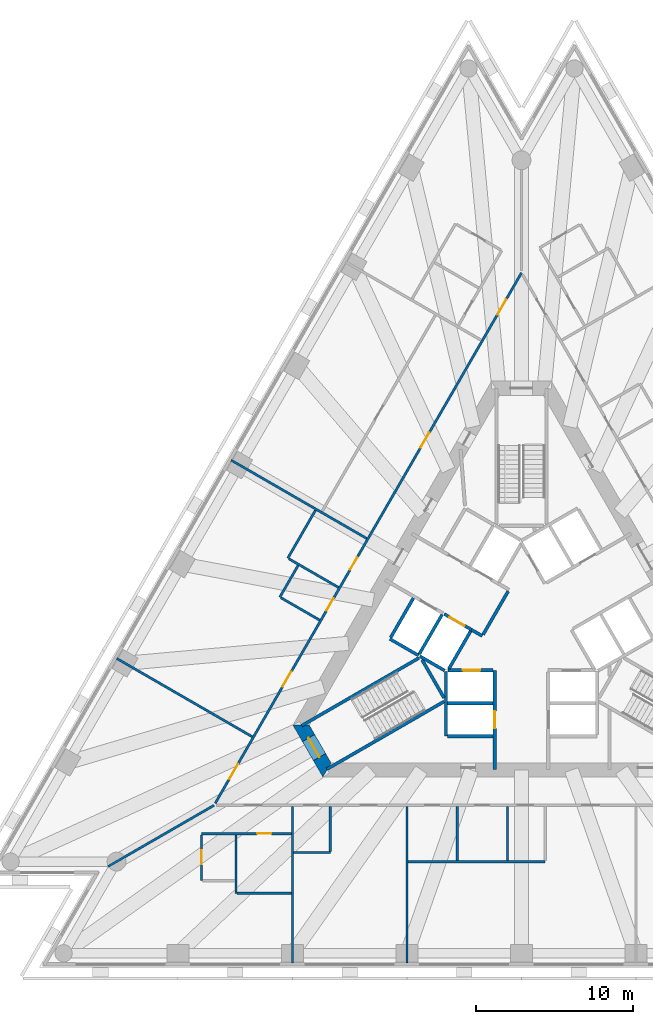
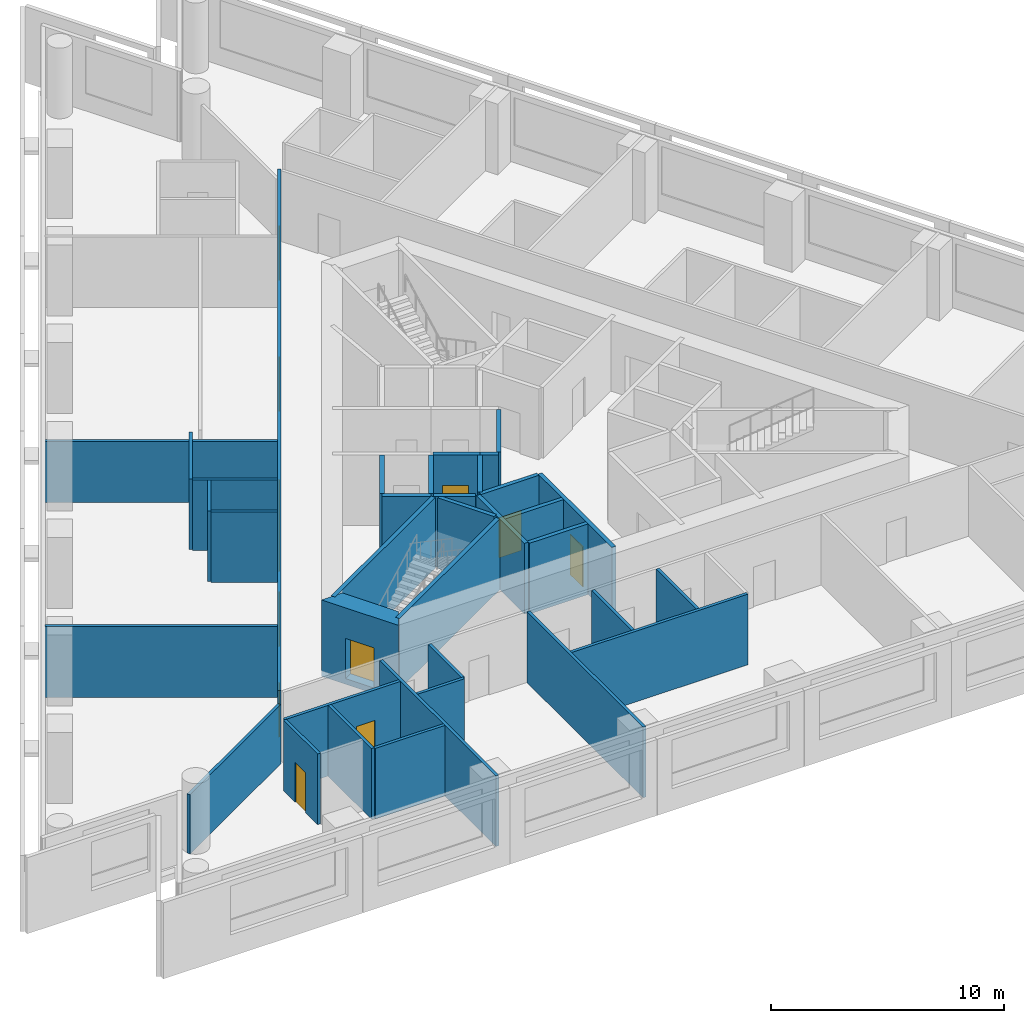
# One storey, part 3 of 11: 36 walls, 12 doors, 12 openings.
"""IFC4 building model written with IfcOpenShell, lengths in metres."""

from ifc_helpers import new_model, si_unit, direction, frame, frame_2d, origin, place, context, subcontext, project, spatial, polyline, rectangle, outline, extrude, material, layer, layer_set, type_object, element, fill, save


model = new_model("IFC4")

# Units and contexts
model_context = context("Model", 3, precision=1e-05, world=origin(), true_north=direction((0.0, 1.0)))
body_context = subcontext(model_context, "Body", "Model", "MODEL_VIEW")
ifc_project = project(units=[si_unit("LENGTHUNIT", "METRE"), si_unit("AREAUNIT", "SQUARE_METRE"), si_unit("VOLUMEUNIT", "CUBIC_METRE"), si_unit("PLANEANGLEUNIT", "RADIAN"), si_unit("MASSUNIT", "GRAM", prefix="KILO")], contexts=[model_context])

# Site, building, storey
site_placement = place(None, origin())
site = spatial("IfcSite", under=ifc_project, at=site_placement, CompositionType="ELEMENT")
building_placement = place(site_placement, origin())
building = spatial("IfcBuilding", under=site, at=building_placement, Name="Triada Interchange Tower", CompositionType="ELEMENT")
storey_placement = place(building_placement, frame((0.0, 0.0, 79.300048828125)))
storey = spatial("IfcBuildingStorey", under=building, at=storey_placement, Name="L17", CompositionType="ELEMENT", Elevation=79.300048828125)

# Walls
ifc_material_1 = material(Name="Concrete C30/37", Category="concrete")
ifc_layer_1 = layer(ifc_material_1, 0.199951171875)
ifc_layer_set_1 = layer_set([ifc_layer_1], Name="CORE WALL 200 EI 120")
wall_type_1 = type_object("IfcWallType", Name="CORE WALL 200 EI 120", PredefinedType="SOLIDWALL", material=ifc_layer_set_1)
wall_1_placement = place(storey_placement, frame((-8.3759765625, -0.70703125, 0.0), z_axis=(0.0, 0.0, 1.0), x_axis=(0.866067520717, -0.499927044236, 0.0)))
element("IfcWall", 1, at=wall_1_placement, inside=storey, type_object=wall_type_1, Name="Wall L15 52", PredefinedType="SOLIDWALL", context=body_context, shape_type="SweptSolid", body=[
    extrude(rectangle(XDim=2.100341796875, YDim=0.199951171875, at=frame_2d((1.05029296875, 0.0))), origin(), (0.0, 0.0, 1.0), 3.699951171875),
])
wall_2_placement = place(storey_placement, frame((-8.325927734375, -0.6201171875, 0.0), z_axis=(0.0, 0.0, 1.0), x_axis=(0.500023687443, 0.866011727401, 0.0)))
element("IfcWall", 2, at=wall_2_placement, inside=storey, type_object=wall_type_1, Name="Wall L15 53", PredefinedType="SOLIDWALL", context=body_context, shape_type="SweptSolid", body=[
    extrude(rectangle(XDim=2.899658203125, YDim=0.199951171875, at=frame_2d((1.44970703125, 0.0))), origin(), (0.0, 0.0, 1.0), 3.699951171875),
])
wall_3_placement = place(storey_placement, frame((-4.699951171875, -4.800048828125, 0.0), z_axis=(0.0, 0.0, 1.0), x_axis=(1.0, 0.0, 0.0)))
element("IfcWall", 3, at=wall_3_placement, inside=storey, type_object=wall_type_1, Name="Wall L15 54", PredefinedType="SOLIDWALL", context=body_context, shape_type="SweptSolid", body=[
    extrude(rectangle(XDim=2.89990234375, YDim=0.199951171875, at=frame_2d((1.449951171875, 0.0))), origin(), (0.0, 0.0, 1.0), 3.699951171875),
])
wall_4_placement = place(storey_placement, frame((-4.800048828125, -6.89990234375, 0.0), z_axis=(0.0, 0.0, 1.0), x_axis=(0.0, 1.0, 0.0)))
element("IfcWall", 4, at=wall_4_placement, inside=storey, type_object=wall_type_1, Name="Wall L15 56", PredefinedType="SOLIDWALL", context=body_context, shape_type="SweptSolid", body=[
    extrude(rectangle(XDim=4.130859375, YDim=0.199951171875, at=frame_2d((2.0654296875, 0.0))), origin(), (0.0, 0.0, 1.0), 3.699951171875),
])
wall_5_placement = place(storey_placement, frame((-4.699951171875, -6.89990234375, 0.0), z_axis=(0.0, 0.0, 1.0), x_axis=(1.0, 0.0, 0.0)))
element("IfcWall", 5, at=wall_5_placement, inside=storey, type_object=wall_type_1, Name="Wall L15 57", PredefinedType="SOLIDWALL", context=body_context, shape_type="SweptSolid", body=[
    extrude(rectangle(XDim=2.89990234375, YDim=0.199951171875, at=frame_2d((1.449951171875, 0.0))), origin(), (0.0, 0.0, 1.0), 3.699951171875),
])

# Wall, opening, door
wall_6_placement = place(storey_placement, frame((-1.699951171875, -9.030029296875, 0.0), z_axis=(0.0, 0.0, 1.0), x_axis=(0.0, 1.0, 0.0)))
wall_6 = element("IfcWall", 6, at=wall_6_placement, inside=storey, type_object=wall_type_1, Name="Wall L15 59", PredefinedType="SOLIDWALL", context=body_context, shape_type="SweptSolid", body=[
    extrude(rectangle(XDim=6.3271484375, YDim=0.199951171875, at=frame_2d((3.16357421875, 0.0))), origin(), (0.0, 0.0, 1.0), 3.699951171875),
])
opening_1_placement = place(wall_6_placement, frame((2.6298828125, 0.0, 0.0)))
opening_1 = element("IfcOpeningElement", 7, at=opening_1_placement, cuts=wall_6, Name="Opening LD-LR4", PredefinedType="OPENING", context=body_context, shape_type="SweptSolid", body=[
    extrude(rectangle(XDim=1.10009765625, YDim=2.10009765625, at=frame_2d((0.550048828125, 1.050048828125))), frame((0.0, 0.10986328125, 0.0), z_axis=(0.0, -1.0, 0.0), x_axis=(1.0, 0.0, 0.0)), (0.0, 0.0, 1.0), 0.219970703125),
])
ifc_material_2 = material(Name="Steel S235 door leaf", Category="steel")
door_type_1 = type_object("IfcDoorType", Name="LIFT LANDING DOOR 1100 EI 120", OperationType="SLIDING_TO_LEFT", PredefinedType="DOOR", material=ifc_material_2)
door_1_placement = place(opening_1_placement, origin())
door_1 = element("IfcDoor", 8, at=door_1_placement, inside=storey, type_object=door_type_1, Name="LR4 landing door L17", OperationType="SLIDING_TO_LEFT", OverallHeight=2.10009765625, OverallWidth=1.10009765625, PredefinedType="DOOR", context=body_context, shape_type="SweptSolid", body=[
    extrude(rectangle(XDim=1.10009765625, YDim=2.10009765625, at=frame_2d((0.550048828125, 1.050048828125))), frame((0.0, 0.02490234375, 0.0), z_axis=(0.0, -1.0, 0.0), x_axis=(1.0, 0.0, 0.0)), (0.0, 0.0, 1.0), 0.050048828125),
])
fill(opening_1, door_1)

wall_7_placement = place(storey_placement, frame((-4.676025390625, -2.699951171875, 0.0), z_axis=(0.0, 0.0, 1.0), x_axis=(1.0, 0.0, 0.0)))
wall_7 = element("IfcWall", 9, at=wall_7_placement, inside=storey, type_object=wall_type_1, Name="Wall L15 60", PredefinedType="SOLIDWALL", context=body_context, shape_type="SweptSolid", body=[
    extrude(rectangle(XDim=2.873046875, YDim=0.199951171875, at=frame_2d((1.4365234375, 0.0))), origin(), (0.0, 0.0, 1.0), 3.699951171875),
])
opening_2_placement = place(wall_7_placement, frame((0.93701171875, 0.0, 0.0)))
opening_2 = element("IfcOpeningElement", 10, at=opening_2_placement, cuts=wall_7, Name="Opening LD-LR3", PredefinedType="OPENING", context=body_context, shape_type="SweptSolid", body=[
    extrude(rectangle(XDim=1.10009765625, YDim=2.10009765625, at=frame_2d((0.550048828125, 1.050048828125))), frame((0.0, 0.10986328125, 0.0), z_axis=(0.0, -1.0, 0.0), x_axis=(1.0, 0.0, 0.0)), (0.0, 0.0, 1.0), 0.219970703125),
])
door_2_placement = place(opening_2_placement, origin())
door_2 = element("IfcDoor", 11, at=door_2_placement, inside=storey, type_object=door_type_1, Name="LR3 landing door L17", OperationType="SLIDING_TO_LEFT", OverallHeight=2.10009765625, OverallWidth=1.10009765625, PredefinedType="DOOR", context=body_context, shape_type="SweptSolid", body=[
    extrude(rectangle(XDim=1.10009765625, YDim=2.10009765625, at=frame_2d((0.550048828125, 1.050048828125))), frame((0.0, 0.02490234375, 0.0), z_axis=(0.0, -1.0, 0.0), x_axis=(1.0, 0.0, 0.0)), (0.0, 0.0, 1.0), 0.050048828125),
])
fill(opening_2, door_2)

# Walls
ifc_layer_2 = layer(ifc_material_1, 0.199951171875)
ifc_layer_set_2 = layer_set([ifc_layer_2], Name="CORE WALL 200 EI 180")
wall_type_2 = type_object("IfcWallType", Name="CORE WALL 200 EI 180", PredefinedType="SOLIDWALL", material=ifc_layer_set_2)
wall_8_placement = place(storey_placement, frame((-3.18798828125, -0.1220703125, 0.0), z_axis=(0.0, 0.0, 1.0), x_axis=(0.865705793592, -0.50055317294, 0.0)))
element("IfcWall", 12, at=wall_8_placement, inside=storey, type_object=wall_type_2, Name="Wall L15 75", PredefinedType="SOLIDWALL", context=body_context, shape_type="SweptSolid", body=[
    extrude(rectangle(XDim=0.796875, YDim=0.199951171875, at=frame_2d((0.3984375, 0.0))), origin(), (0.0, 0.0, 1.0), 3.699951171875),
])
wall_9_placement = place(storey_placement, frame((-2.444091796875, -0.43310546875, 0.0), z_axis=(0.0, 0.0, 1.0), x_axis=(0.500035624827, 0.866004834804, 0.0)))
element("IfcWall", 13, at=wall_9_placement, inside=storey, type_object=wall_type_2, Name="Wall L15 80", PredefinedType="SOLIDWALL", context=body_context, shape_type="SweptSolid", body=[
    extrude(rectangle(XDim=3.194091796875, YDim=0.199951171875, at=frame_2d((1.59716796875, 0.0))), origin(), (0.0, 0.0, 1.0), 3.699951171875),
])
wall_10_placement = place(storey_placement, frame((-6.507080078125, -1.669921875, 0.0), z_axis=(0.0, 0.0, 1.0), x_axis=(0.50012328804, 0.865954211699, 0.0)))
element("IfcWall", 14, at=wall_10_placement, inside=storey, type_object=wall_type_2, Name="Shaft wall FF1 L15 81", PredefinedType="SOLIDWALL", context=body_context, shape_type="SweptSolid", body=[
    extrude(rectangle(XDim=2.899658203125, YDim=0.199951171875, at=frame_2d((1.44970703125, 0.0))), origin(), (0.0, 0.0, 1.0), 3.699951171875),
])
wall_11_placement = place(storey_placement, frame((-6.469970703125, -1.806884765625, 0.0), z_axis=(0.0, 0.0, 1.0), x_axis=(0.865883195159, -0.500246231712, 0.0)))
element("IfcWall", 15, at=wall_11_placement, inside=storey, type_object=wall_type_2, Name="Shaft wall FF1 L15 82", PredefinedType="SOLIDWALL", context=body_context, shape_type="SweptSolid", body=[
    extrude(rectangle(XDim=1.8154296875, YDim=0.199951171875, at=frame_2d((0.90771484375, 0.0))), origin(), (0.0, 0.0, 1.0), 3.699951171875),
])

# Wall, opening, door
wall_12_placement = place(storey_placement, frame((-4.922119140625, 0.87890625, 0.0), z_axis=(0.0, 0.0, 1.0), x_axis=(0.866073918653, -0.499915960366, 0.0)))
wall_12 = element("IfcWall", 16, at=wall_12_placement, inside=storey, type_object=wall_type_2, Name="Shaft wall FF1 L15 83", PredefinedType="SOLIDWALL", context=body_context, shape_type="SweptSolid", body=[
    extrude(rectangle(XDim=2.002197265625, YDim=0.199951171875, at=frame_2d((1.0009765625, 0.0))), origin(), (0.0, 0.0, 1.0), 3.699951171875),
])
opening_3_placement = place(wall_12_placement, frame((0.402099609375, 0.0, 0.0)))
opening_3 = element("IfcOpeningElement", 17, at=opening_3_placement, cuts=wall_12, Name="Opening LD-FF1", PredefinedType="OPENING", context=body_context, shape_type="SweptSolid", body=[
    extrude(rectangle(XDim=1.10009765625, YDim=2.10009765625, at=frame_2d((0.550048828125, 1.050048828125))), frame((0.0, 0.10986328125, 0.0), z_axis=(0.0, -1.0, 0.0), x_axis=(1.0, 0.0, 0.0)), (0.0, 0.0, 1.0), 0.219970703125),
])
door_3_placement = place(opening_3_placement, origin())
door_3 = element("IfcDoor", 18, at=door_3_placement, inside=storey, type_object=door_type_1, Name="FF1 landing door L17", OperationType="SLIDING_TO_LEFT", OverallHeight=2.10009765625, OverallWidth=1.10009765625, PredefinedType="DOOR", context=body_context, shape_type="SweptSolid", body=[
    extrude(rectangle(XDim=1.10009765625, YDim=2.10009765625, at=frame_2d((0.550048828125, 1.050048828125))), frame((0.0, 0.02490234375, 0.0), z_axis=(0.0, -1.0, 0.0), x_axis=(1.0, 0.0, 0.0)), (0.0, 0.0, 1.0), 0.050048828125),
])
fill(opening_3, door_3)

# Walls
wall_13_placement = place(storey_placement, frame((-4.618896484375, -2.60009765625, 0.0), z_axis=(0.0, 0.0, 1.0), x_axis=(0.50009492287, 0.865970593103, 0.0)))
element("IfcWall", 19, at=wall_13_placement, inside=storey, type_object=wall_type_2, Name="Shaft wall FF1 L15 84", PredefinedType="SOLIDWALL", context=body_context, shape_type="SweptSolid", body=[
    extrude(rectangle(XDim=2.76123046875, YDim=0.199951171875, at=frame_2d((1.380615234375, 0.0))), origin(), (0.0, 0.0, 1.0), 3.699951171875),
])
ifc_layer_3 = layer(ifc_material_1, 0.199951171875)
ifc_layer_set_3 = layer_set([ifc_layer_3], Name="CORE WALL 200 REI 240")
wall_type_3 = type_object("IfcWallType", Name="CORE WALL 200 REI 240", PredefinedType="SOLIDWALL", material=ifc_layer_set_3)
wall_14_placement = place(storey_placement, frame((-13.989990234375, -6.22900390625, 0.0), z_axis=(0.0, 0.0, 1.0), x_axis=(0.866060059011, 0.499939970583, 0.0)))
element("IfcWall", 20, at=wall_14_placement, inside=storey, type_object=wall_type_3, Name="Wall L15 93", PredefinedType="SOLIDWALL", context=body_context, shape_type="SweptSolid", body=[
    extrude(rectangle(XDim=8.61474609375, YDim=0.199951171875, at=frame_2d((4.307373046875, 0.0))), origin(), (0.0, 0.0, 1.0), 3.699951171875),
])
wall_15_placement = place(storey_placement, frame((-6.3291015625, -2.0380859375, 0.0), z_axis=(0.0, 0.0, 1.0), x_axis=(0.500200581029, -0.865909567298, 0.0)))
element("IfcWall", 21, at=wall_15_placement, inside=storey, type_object=wall_type_3, Name="Wall L15 94", PredefinedType="SOLIDWALL", context=body_context, shape_type="SweptSolid", body=[
    extrude(rectangle(XDim=2.799072265625, YDim=0.199951171875, at=frame_2d((1.3994140625, 0.0))), origin(), (0.0, 0.0, 1.0), 3.699951171875),
])
wall_16_placement = place(storey_placement, frame((-12.389892578125, -9.0009765625, 0.0), z_axis=(0.0, 0.0, 1.0), x_axis=(0.866010975815, 0.500024989144, 0.0)))
element("IfcWall", 22, at=wall_16_placement, inside=storey, type_object=wall_type_3, Name="Wall L15 95", PredefinedType="SOLIDWALL", context=body_context, shape_type="SweptSolid", body=[
    extrude(rectangle(XDim=8.615234375, YDim=0.199951171875, at=frame_2d((4.3076171875, 0.0))), origin(), (0.0, 0.0, 1.0), 3.699951171875),
])

# Wall, opening, door
ifc_material_3 = material(Name="Concrete C70/85", Category="concrete")
ifc_layer_4 = layer(ifc_material_3, 0.89990234375)
ifc_layer_set_4 = layer_set([ifc_layer_4], Name="Core wall A 900")
wall_type_4 = type_object("IfcWallType", Name="Core wall A 900", PredefinedType="SHEAR", material=ifc_layer_set_4)
wall_17_placement = place(storey_placement, frame((-14.030029296875, -6.199951171875, -0.300048828125), z_axis=(0.0, 0.0, 1.0), x_axis=(0.500111984565, -0.865960739811, 0.0)))
wall_17 = element("IfcWall", 23, at=wall_17_placement, inside=storey, type_object=wall_type_4, Name="Core wall WA03 L17", PredefinedType="SHEAR", context=body_context, shape_type="SweptSolid", body=[
    extrude(outline(polyline([(-0.260009765625, -0.448974609375), (1.6455078125, -0.449462890625), (3.551025390625, -0.449951171875), (3.031982421875, 0.449951171875), (1.64599609375, 0.449951171875), (0.260009765625, 0.449951171875), (-0.260009765625, -0.448974609375)])), origin(), (0.0, 0.0, 1.0), 4.0),
])
opening_4_placement = place(wall_17_placement, frame((0.946044921875, 0.0, 0.300048828125)))
opening_4 = element("IfcOpeningElement", 24, at=opening_4_placement, cuts=wall_17, Name="Opening D15-45", PredefinedType="OPENING", context=body_context, shape_type="SweptSolid", body=[
    extrude(rectangle(XDim=1.39990234375, YDim=2.10009765625, at=frame_2d((0.699951171875, 1.050048828125))), frame((0.0, 0.4599609375, 0.0), z_axis=(0.0, -1.0, 0.0), x_axis=(1.0, 0.0, 0.0)), (0.0, 0.0, 1.0), 0.919921875),
])
door_type_2 = type_object("IfcDoorType", Name="STAIR DOOR 1400 EI2 90-C5S200", OperationType="DOUBLE_DOOR_SINGLE_SWING", PredefinedType="DOOR", material=ifc_material_2)
door_4_placement = place(opening_4_placement, origin())
door_4 = element("IfcDoor", 25, at=door_4_placement, inside=storey, type_object=door_type_2, Name="Door D15-45 L17", OperationType="DOUBLE_DOOR_SINGLE_SWING", OverallHeight=2.10009765625, OverallWidth=1.39990234375, PredefinedType="DOOR", context=body_context, shape_type="SweptSolid", body=[
    extrude(rectangle(XDim=1.39990234375, YDim=2.10009765625, at=frame_2d((0.699951171875, 1.050048828125))), frame((0.0, 0.02490234375, 0.0), z_axis=(0.0, -1.0, 0.0), x_axis=(1.0, 0.0, 0.0)), (0.0, 0.0, 1.0), 0.050048828125),
])
fill(opening_4, door_4)

# Walls
ifc_material_4 = material(Name="Gypsum board partition")
ifc_layer_5 = layer(ifc_material_4, 0.14990234375)
ifc_layer_set_5 = layer_set([ifc_layer_5], Name="PARTITION 150 EI 180")
wall_type_5 = type_object("IfcWallType", Name="PARTITION 150 EI 180", PredefinedType="PARTITIONING", material=ifc_layer_set_5)
wall_18_placement = place(storey_placement, frame((-26.31689453125, -15.194091796875, 0.0), z_axis=(0.0, 0.0, 1.0), x_axis=(0.866031591824, 0.499989281847, 0.0)))
element("IfcWall", 26, at=wall_18_placement, inside=storey, type_object=wall_type_5, Name="Wall L15 1", PredefinedType="PARTITIONING", context=body_context, shape_type="SweptSolid", body=[
    extrude(rectangle(XDim=7.788330078125, YDim=0.14990234375, at=frame_2d((3.89404296875, 0.0))), origin(), (0.0, 0.0, 1.0), 3.099853515625),
])
wall_19_placement = place(storey_placement, frame((-25.77099609375, -1.950927734375, 0.0), z_axis=(0.0, 0.0, 1.0), x_axis=(0.866008152443, -0.500029879009, 0.0)))
element("IfcWall", 27, at=wall_19_placement, inside=storey, type_object=wall_type_5, Name="Wall L15 2", PredefinedType="PARTITIONING", context=body_context, shape_type="SweptSolid", body=[
    extrude(rectangle(XDim=9.9677734375, YDim=0.14990234375, at=frame_2d((4.98388671875, 0.0))), origin(), (0.0, 0.0, 1.0), 3.699951171875),
])

# Wall, openings, doors
wall_20_placement = place(storey_placement, frame((-19.4970703125, -11.169921875, 0.0), z_axis=(0.0, 0.0, 1.0), x_axis=(0.499998854553, 0.866026065108, 0.0)))
wall_20 = element("IfcWall", 28, at=wall_20_placement, inside=storey, type_object=wall_type_5, Name="Wall L15 3", PredefinedType="PARTITIONING", context=body_context, shape_type="SweptSolid", body=[
    extrude(rectangle(XDim=38.994140625, YDim=0.14990234375, at=frame_2d((19.4970703125, 0.0))), origin(), (0.0, 0.0, 1.0), 3.699951171875),
])
opening_5_placement = place(wall_20_placement, frame((35.944091796875, 0.0, 0.0)))
opening_5 = element("IfcOpeningElement", 29, at=opening_5_placement, cuts=wall_20, Name="Opening D15-34", PredefinedType="OPENING", context=body_context, shape_type="SweptSolid", body=[
    extrude(rectangle(XDim=1.10009765625, YDim=2.10009765625, at=frame_2d((0.550048828125, 1.050048828125))), frame((0.0, 0.0849609375, 0.0), z_axis=(0.0, -1.0, 0.0), x_axis=(1.0, 0.0, 0.0)), (0.0, 0.0, 1.0), 0.169921875),
])
opening_6_placement = place(wall_20_placement, frame((26.14794921875, 0.0, 0.0)))
opening_6 = element("IfcOpeningElement", 30, at=opening_6_placement, cuts=wall_20, Name="Opening D15-37", PredefinedType="OPENING", context=body_context, shape_type="SweptSolid", body=[
    extrude(rectangle(XDim=1.10009765625, YDim=2.10009765625, at=frame_2d((0.550048828125, 1.050048828125))), frame((0.0, 0.0849609375, 0.0), z_axis=(0.0, -1.0, 0.0), x_axis=(1.0, 0.0, 0.0)), (0.0, 0.0, 1.0), 0.169921875),
])
opening_7_placement = place(wall_20_placement, frame((8.572021484375, 0.0, 0.0)))
opening_7 = element("IfcOpeningElement", 31, at=opening_7_placement, cuts=wall_20, Name="Opening D15-39", PredefinedType="OPENING", context=body_context, shape_type="SweptSolid", body=[
    extrude(rectangle(XDim=1.10009765625, YDim=2.10009765625, at=frame_2d((0.550048828125, 1.050048828125))), frame((0.0, 0.0849609375, 0.0), z_axis=(0.0, -1.0, 0.0), x_axis=(1.0, 0.0, 0.0)), (0.0, 0.0, 1.0), 0.169921875),
])
opening_8_placement = place(wall_20_placement, frame((17.172119140625, 0.0, 0.0)))
opening_8 = element("IfcOpeningElement", 32, at=opening_8_placement, cuts=wall_20, Name="Opening D15-40", PredefinedType="OPENING", context=body_context, shape_type="SweptSolid", body=[
    extrude(rectangle(XDim=0.89990234375, YDim=2.10009765625, at=frame_2d((0.449951171875, 1.050048828125))), frame((0.0, 0.0849609375, 0.0), z_axis=(0.0, -1.0, 0.0), x_axis=(1.0, 0.0, 0.0)), (0.0, 0.0, 1.0), 0.169921875),
])
opening_9_placement = place(wall_20_placement, frame((14.172119140625, 0.0, 0.0)))
opening_9 = element("IfcOpeningElement", 33, at=opening_9_placement, cuts=wall_20, Name="Opening D15-41", PredefinedType="OPENING", context=body_context, shape_type="SweptSolid", body=[
    extrude(rectangle(XDim=0.89990234375, YDim=2.10009765625, at=frame_2d((0.449951171875, 1.050048828125))), frame((0.0, 0.0849609375, 0.0), z_axis=(0.0, -1.0, 0.0), x_axis=(1.0, 0.0, 0.0)), (0.0, 0.0, 1.0), 0.169921875),
])
opening_10_placement = place(wall_20_placement, frame((1.797119140625, 0.0, 0.0)))
opening_10 = element("IfcOpeningElement", 34, at=opening_10_placement, cuts=wall_20, Name="Opening D15-42", PredefinedType="OPENING", context=body_context, shape_type="SweptSolid", body=[
    extrude(rectangle(XDim=1.10009765625, YDim=2.10009765625, at=frame_2d((0.550048828125, 1.050048828125))), frame((0.0, 0.0849609375, 0.0), z_axis=(0.0, -1.0, 0.0), x_axis=(1.0, 0.0, 0.0)), (0.0, 0.0, 1.0), 0.169921875),
])
door_type_3 = type_object("IfcDoorType", Name="ROOM DOOR 900 EI2 90-C5S200", OperationType="NOTDEFINED", PredefinedType="DOOR", material=ifc_material_2)
door_5_placement = place(opening_8_placement, origin())
door_5 = element("IfcDoor", 35, at=door_5_placement, inside=storey, type_object=door_type_3, Name="Door D15-40 L17", OperationType="SINGLE_SWING_LEFT", OverallHeight=2.10009765625, OverallWidth=0.89990234375, PredefinedType="DOOR", context=body_context, shape_type="SweptSolid", body=[
    extrude(rectangle(XDim=0.89990234375, YDim=2.10009765625, at=frame_2d((0.449951171875, 1.050048828125))), frame((0.0, 0.02490234375, 0.0), z_axis=(0.0, -1.0, 0.0), x_axis=(1.0, 0.0, 0.0)), (0.0, 0.0, 1.0), 0.050048828125),
])
fill(opening_8, door_5)
door_6_placement = place(opening_9_placement, origin())
door_6 = element("IfcDoor", 36, at=door_6_placement, inside=storey, type_object=door_type_3, Name="Door D15-41 L17", OperationType="SINGLE_SWING_RIGHT", OverallHeight=2.10009765625, OverallWidth=0.89990234375, PredefinedType="DOOR", context=body_context, shape_type="SweptSolid", body=[
    extrude(rectangle(XDim=0.89990234375, YDim=2.10009765625, at=frame_2d((0.449951171875, 1.050048828125))), frame((0.0, 0.02490234375, 0.0), z_axis=(0.0, -1.0, 0.0), x_axis=(1.0, 0.0, 0.0)), (0.0, 0.0, 1.0), 0.050048828125),
])
fill(opening_9, door_6)
door_type_4 = type_object("IfcDoorType", Name="TENANCY ENTRANCE DOOR 1100 EI2 90-C5S200", OperationType="NOTDEFINED", PredefinedType="DOOR", material=ifc_material_2)
door_7_placement = place(opening_5_placement, origin())
door_7 = element("IfcDoor", 37, at=door_7_placement, inside=storey, type_object=door_type_4, Name="Door D15-34 L17", OperationType="SINGLE_SWING_RIGHT", OverallHeight=2.10009765625, OverallWidth=1.10009765625, PredefinedType="DOOR", context=body_context, shape_type="SweptSolid", body=[
    extrude(rectangle(XDim=1.10009765625, YDim=2.10009765625, at=frame_2d((0.550048828125, 1.050048828125))), frame((0.0, 0.02490234375, 0.0), z_axis=(0.0, -1.0, 0.0), x_axis=(1.0, 0.0, 0.0)), (0.0, 0.0, 1.0), 0.050048828125),
])
fill(opening_5, door_7)
door_8_placement = place(opening_6_placement, origin())
door_8 = element("IfcDoor", 38, at=door_8_placement, inside=storey, type_object=door_type_4, Name="Door D15-37 L17", OperationType="SINGLE_SWING_RIGHT", OverallHeight=2.10009765625, OverallWidth=1.10009765625, PredefinedType="DOOR", context=body_context, shape_type="SweptSolid", body=[
    extrude(rectangle(XDim=1.10009765625, YDim=2.10009765625, at=frame_2d((0.550048828125, 1.050048828125))), frame((0.0, 0.02490234375, 0.0), z_axis=(0.0, -1.0, 0.0), x_axis=(1.0, 0.0, 0.0)), (0.0, 0.0, 1.0), 0.050048828125),
])
fill(opening_6, door_8)
door_9_placement = place(opening_7_placement, origin())
door_9 = element("IfcDoor", 39, at=door_9_placement, inside=storey, type_object=door_type_4, Name="Door D15-39 L17", OperationType="SINGLE_SWING_RIGHT", OverallHeight=2.10009765625, OverallWidth=1.10009765625, PredefinedType="DOOR", context=body_context, shape_type="SweptSolid", body=[
    extrude(rectangle(XDim=1.10009765625, YDim=2.10009765625, at=frame_2d((0.550048828125, 1.050048828125))), frame((0.0, 0.02490234375, 0.0), z_axis=(0.0, -1.0, 0.0), x_axis=(1.0, 0.0, 0.0)), (0.0, 0.0, 1.0), 0.050048828125),
])
fill(opening_7, door_9)
door_10_placement = place(opening_10_placement, origin())
door_10 = element("IfcDoor", 40, at=door_10_placement, inside=storey, type_object=door_type_4, Name="Door D15-42 L17", OperationType="SINGLE_SWING_LEFT", OverallHeight=2.10009765625, OverallWidth=1.10009765625, PredefinedType="DOOR", context=body_context, shape_type="SweptSolid", body=[
    extrude(rectangle(XDim=1.10009765625, YDim=2.10009765625, at=frame_2d((0.550048828125, 1.050048828125))), frame((0.0, 0.02490234375, 0.0), z_axis=(0.0, -1.0, 0.0), x_axis=(1.0, 0.0, 0.0)), (0.0, 0.0, 1.0), 0.050048828125),
])
fill(opening_10, door_10)

# Walls
wall_21_placement = place(storey_placement, frame((-18.48291015625, 10.6708984375, 0.0), z_axis=(0.0, 0.0, 1.0), x_axis=(0.866012634826, -0.500022115832, 0.0)))
element("IfcWall", 41, at=wall_21_placement, inside=storey, type_object=wall_type_5, Name="Wall L15 5", PredefinedType="PARTITIONING", context=body_context, shape_type="SweptSolid", body=[
    extrude(rectangle(XDim=9.96728515625, YDim=0.14990234375, at=frame_2d((4.983642578125, 0.0))), origin(), (0.0, 0.0, 1.0), 3.199951171875),
])
wall_22_placement = place(storey_placement, frame((-14.574951171875, -21.342041015625, 0.0), z_axis=(0.0, 0.0, 1.0), x_axis=(0.0, 1.0, 0.0)))
element("IfcWall", 42, at=wall_22_placement, inside=storey, type_object=wall_type_5, Name="Wall L15 7", PredefinedType="PARTITIONING", context=body_context, shape_type="SweptSolid", body=[
    extrude(rectangle(XDim=9.967041015625, YDim=0.14990234375, at=frame_2d((4.9833984375, 0.0))), origin(), (0.0, 0.0, 1.0), 3.699951171875),
])
wall_23_placement = place(storey_placement, frame((-14.5, -14.300048828125, 0.0), z_axis=(0.0, 0.0, 1.0), x_axis=(1.0, 0.0, 0.0)))
element("IfcWall", 43, at=wall_23_placement, inside=storey, type_object=wall_type_5, Name="Wall L15 8", PredefinedType="PARTITIONING", context=body_context, shape_type="SweptSolid", body=[
    extrude(rectangle(XDim=2.324951171875, YDim=0.14990234375, at=frame_2d((1.16259765625, 0.0))), origin(), (0.0, 0.0, 1.0), 3.699951171875),
])
wall_24_placement = place(storey_placement, frame((-12.175048828125, -14.22509765625, 0.0), z_axis=(0.0, 0.0, 1.0), x_axis=(0.0, 1.0, 0.0)))
element("IfcWall", 44, at=wall_24_placement, inside=storey, type_object=wall_type_5, Name="Wall L15 9", PredefinedType="PARTITIONING", context=body_context, shape_type="SweptSolid", body=[
    extrude(rectangle(XDim=2.85009765625, YDim=0.14990234375, at=frame_2d((1.425048828125, 0.0))), origin(), (0.0, 0.0, 1.0), 3.699951171875),
])
wall_25_placement = place(storey_placement, frame((-14.876953125, 4.431884765625, 0.0), z_axis=(0.0, 0.0, 1.0), x_axis=(0.499826373536, 0.866125623866, 0.0)))
element("IfcWall", 45, at=wall_25_placement, inside=storey, type_object=wall_type_5, Name="Wall L15 10", PredefinedType="PARTITIONING", context=body_context, shape_type="SweptSolid", body=[
    extrude(rectangle(XDim=3.525146484375, YDim=0.14990234375, at=frame_2d((1.7626953125, 0.0))), origin(), (0.0, 0.0, 1.0), 3.699951171875),
])
wall_26_placement = place(storey_placement, frame((-14.81201171875, 4.39501953125, 0.0), z_axis=(0.0, 0.0, 1.0), x_axis=(0.866040790738, -0.499973348067, 0.0)))
element("IfcWall", 46, at=wall_26_placement, inside=storey, type_object=wall_type_5, Name="Wall L15 11", PredefinedType="PARTITIONING", context=body_context, shape_type="SweptSolid", body=[
    extrude(rectangle(XDim=3.650146484375, YDim=0.14990234375, at=frame_2d((1.8251953125, 0.0))), origin(), (0.0, 0.0, 1.0), 3.699951171875),
])
wall_27_placement = place(storey_placement, frame((-15.384033203125, 1.9541015625, 0.0), z_axis=(0.0, 0.0, 1.0), x_axis=(0.499980071345, 0.866036909293, 0.0)))
element("IfcWall", 47, at=wall_27_placement, inside=storey, type_object=wall_type_5, Name="Wall L15 12", PredefinedType="PARTITIONING", context=body_context, shape_type="SweptSolid", body=[
    extrude(rectangle(XDim=2.32421875, YDim=0.14990234375, at=frame_2d((1.162109375, 0.0))), origin(), (0.0, 0.0, 1.0), 3.699951171875),
])
wall_28_placement = place(storey_placement, frame((-15.319091796875, 1.916015625, 0.0), z_axis=(0.0, 0.0, 1.0), x_axis=(0.866004402611, -0.500036373335, 0.0)))
element("IfcWall", 48, at=wall_28_placement, inside=storey, type_object=wall_type_5, Name="Wall L15 13", PredefinedType="PARTITIONING", context=body_context, shape_type="SweptSolid", body=[
    extrude(rectangle(XDim=2.849853515625, YDim=0.14990234375, at=frame_2d((1.4248046875, 0.0))), origin(), (0.0, 0.0, 1.0), 3.699951171875),
])
wall_29_placement = place(storey_placement, frame((-7.2880859375, -21.342041015625, 0.0), z_axis=(0.0, 0.0, 1.0), x_axis=(0.0, 1.0, 0.0)))
element("IfcWall", 49, at=wall_29_placement, inside=storey, type_object=wall_type_5, Name="Wall L15 15", PredefinedType="PARTITIONING", context=body_context, shape_type="SweptSolid", body=[
    extrude(rectangle(XDim=9.967041015625, YDim=0.14990234375, at=frame_2d((4.9833984375, 0.0))), origin(), (0.0, 0.0, 1.0), 3.699951171875),
])
wall_30_placement = place(storey_placement, frame((-7.212890625, -14.89990234375, 0.0), z_axis=(0.0, 0.0, 1.0), x_axis=(1.0, 0.0, 0.0)))
element("IfcWall", 50, at=wall_30_placement, inside=storey, type_object=wall_type_5, Name="Wall L15 16", PredefinedType="PARTITIONING", context=body_context, shape_type="SweptSolid", body=[
    extrude(rectangle(XDim=8.724853515625, YDim=0.14990234375, at=frame_2d((4.3623046875, 0.0))), origin(), (0.0, 0.0, 1.0), 3.699951171875),
])
for number, where, z_axis, x_axis, name in (
    (51, (-4.087890625, -14.824951171875, 0.0), (0.0, 0.0, 1.0), (0.0, 1.0, 0.0), "Wall L15 17"),
    (52, (-0.887939453125, -14.824951171875, 0.0), (0.0, 0.0, 1.0), (0.0, 1.0, 0.0), "Wall L15 19"),
):
    element("IfcWall", number, at=place(storey_placement, frame(where, z_axis=z_axis, x_axis=x_axis)), inside=storey, type_object=wall_type_5, Name=name, PredefinedType="PARTITIONING", context=body_context, shape_type="SweptSolid", body=[
        extrude(rectangle(XDim=3.449951171875, YDim=0.14990234375, at=frame_2d((1.72509765625, 0.0))), origin(), (0.0, 0.0, 1.0), 3.699951171875),
    ])
ifc_layer_6 = layer(ifc_material_4, 0.14990234375)
ifc_layer_set_6 = layer_set([ifc_layer_6], Name="PARTITION 150 EI 90")
wall_type_6 = type_object("IfcWallType", Name="PARTITION 150 EI 90", PredefinedType="PARTITIONING", material=ifc_layer_set_6)
wall_31_placement = place(storey_placement, frame((-18.175048828125, -16.89990234375, 0.0), z_axis=(0.0, 0.0, 1.0), x_axis=(0.0, 1.0, 0.0)))
element("IfcWall", 53, at=wall_31_placement, inside=storey, type_object=wall_type_6, Name="Wall L15 34", PredefinedType="PARTITIONING", context=body_context, shape_type="SweptSolid", body=[
    extrude(rectangle(XDim=3.724853515625, YDim=0.14990234375, at=frame_2d((1.8623046875, 0.0))), origin(), (0.0, 0.0, 1.0), 3.699951171875),
])

# Wall, opening, door
wall_32_placement = place(storey_placement, frame((-20.375, -13.10009765625, 0.0), z_axis=(0.0, 0.0, 1.0), x_axis=(1.0, 0.0, 0.0)))
wall_32 = element("IfcWall", 54, at=wall_32_placement, inside=storey, type_object=wall_type_6, Name="Wall L15 35", PredefinedType="PARTITIONING", context=body_context, shape_type="SweptSolid", body=[
    extrude(rectangle(XDim=5.72509765625, YDim=0.14990234375, at=frame_2d((2.862548828125, 0.0))), origin(), (0.0, 0.0, 1.0), 3.699951171875),
])
opening_11_placement = place(wall_32_placement, frame((3.550048828125, 0.0, 0.0)))
opening_11 = element("IfcOpeningElement", 55, at=opening_11_placement, cuts=wall_32, Name="Opening D15-12", PredefinedType="OPENING", context=body_context, shape_type="SweptSolid", body=[
    extrude(rectangle(XDim=0.89990234375, YDim=2.10009765625, at=frame_2d((0.449951171875, 1.050048828125))), frame((0.0, 0.0849609375, 0.0), z_axis=(0.0, -1.0, 0.0), x_axis=(1.0, 0.0, 0.0)), (0.0, 0.0, 1.0), 0.169921875),
])
door_type_5 = type_object("IfcDoorType", Name="ROOM DOOR 900 EI2 45-C5S200", OperationType="NOTDEFINED", PredefinedType="DOOR", material=ifc_material_2)
door_11_placement = place(opening_11_placement, origin())
door_11 = element("IfcDoor", 56, at=door_11_placement, inside=storey, type_object=door_type_5, Name="Door D15-12 L17", OperationType="SINGLE_SWING_LEFT", OverallHeight=2.10009765625, OverallWidth=0.89990234375, PredefinedType="DOOR", context=body_context, shape_type="SweptSolid", body=[
    extrude(rectangle(XDim=0.89990234375, YDim=2.10009765625, at=frame_2d((0.449951171875, 1.050048828125))), frame((0.0, 0.02490234375, 0.0), z_axis=(0.0, -1.0, 0.0), x_axis=(1.0, 0.0, 0.0)), (0.0, 0.0, 1.0), 0.050048828125),
])
fill(opening_11, door_11)

wall_33_placement = place(storey_placement, frame((-20.375, -16.10009765625, 0.0), z_axis=(0.0, 0.0, 1.0), x_axis=(0.0, 1.0, 0.0)))
wall_33 = element("IfcWall", 57, at=wall_33_placement, inside=storey, type_object=wall_type_6, Name="Wall L15 37", PredefinedType="PARTITIONING", context=body_context, shape_type="SweptSolid", body=[
    extrude(rectangle(XDim=2.925048828125, YDim=0.14990234375, at=frame_2d((1.46240234375, 0.0))), origin(), (0.0, 0.0, 1.0), 3.699951171875),
])
opening_12_placement = place(wall_33_placement, frame((1.050048828125, 0.0, 0.0)))
opening_12 = element("IfcOpeningElement", 58, at=opening_12_placement, cuts=wall_33, Name="Opening D15-13", PredefinedType="OPENING", context=body_context, shape_type="SweptSolid", body=[
    extrude(rectangle(XDim=0.89990234375, YDim=2.10009765625, at=frame_2d((0.449951171875, 1.050048828125))), frame((0.0, 0.0849609375, 0.0), z_axis=(0.0, -1.0, 0.0), x_axis=(1.0, 0.0, 0.0)), (0.0, 0.0, 1.0), 0.169921875),
])
door_type_6 = type_object("IfcDoorType", Name="SERVICE DOOR 900 EI2 45-C5S200", OperationType="NOTDEFINED", PredefinedType="DOOR", material=ifc_material_2)
door_12_placement = place(opening_12_placement, origin())
door_12 = element("IfcDoor", 59, at=door_12_placement, inside=storey, type_object=door_type_6, Name="Door D15-13 L17", OperationType="SINGLE_SWING_LEFT", OverallHeight=2.10009765625, OverallWidth=0.89990234375, PredefinedType="DOOR", context=body_context, shape_type="SweptSolid", body=[
    extrude(rectangle(XDim=0.89990234375, YDim=2.10009765625, at=frame_2d((0.449951171875, 1.050048828125))), frame((0.0, 0.02490234375, 0.0), z_axis=(0.0, -1.0, 0.0), x_axis=(1.0, 0.0, 0.0)), (0.0, 0.0, 1.0), 0.050048828125),
])
fill(opening_12, door_12)

# Wall
wall_34_placement = place(storey_placement, frame((-18.10009765625, -16.89990234375, 0.0), z_axis=(0.0, 0.0, 1.0), x_axis=(1.0, 0.0, 0.0)))
element("IfcWall", 60, at=wall_34_placement, inside=storey, type_object=wall_type_6, Name="Wall L15 39", PredefinedType="PARTITIONING", context=body_context, shape_type="SweptSolid", body=[
    extrude(rectangle(XDim=3.4501953125, YDim=0.14990234375, at=frame_2d((1.72509765625, 0.0))), origin(), (0.0, 0.0, 1.0), 3.699951171875),
])

save(model, "model.ifc")
